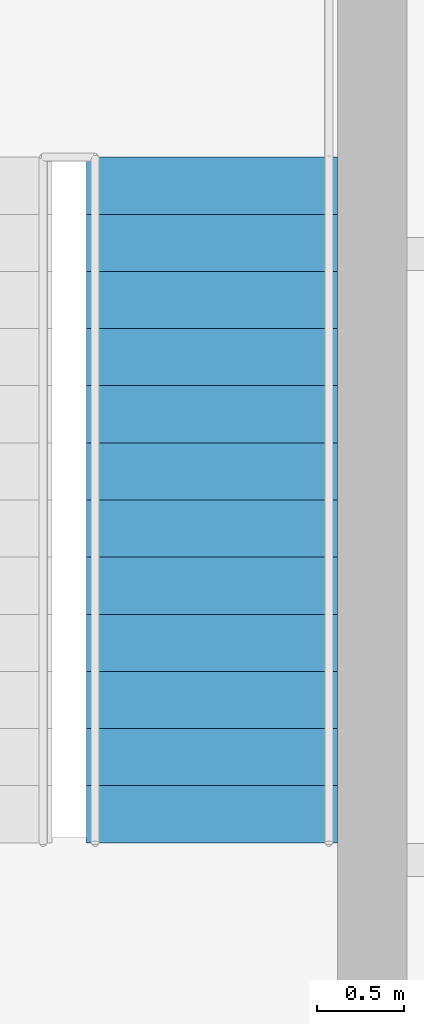
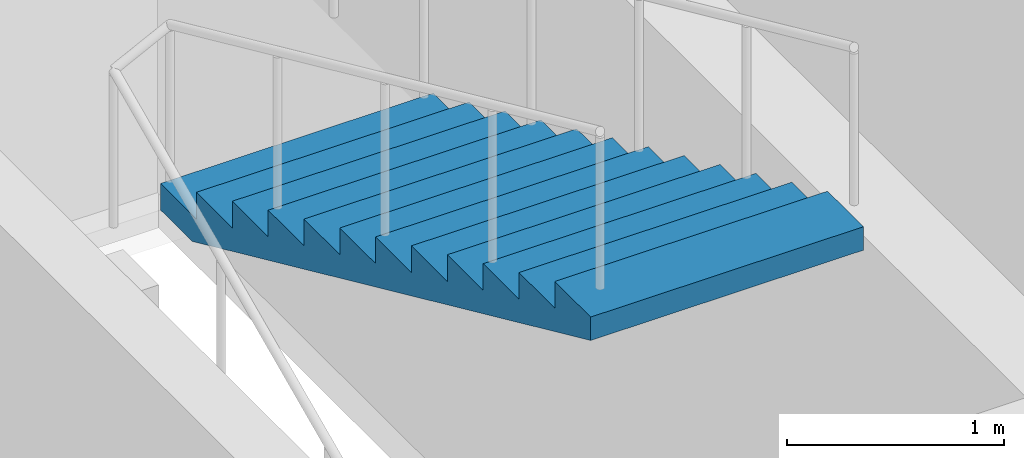
# One storey, part 9 of 10: 1 stair flight, 1 element without a shape of its own.
"""IFC4 building model written with IfcOpenShell, lengths in metres."""

from ifc_helpers import new_model, si_unit, direction, frame, origin, place, context, subcontext, project, spatial, polygons, material, type_object, element, aggregate, save


model = new_model("IFC4")

# Units and contexts
model_context = context("Model", 3, precision=1e-05, world=origin(), true_north=direction((0.0, 1.0)))
body_context = subcontext(model_context, "Body", "Model", "MODEL_VIEW")
ifc_project = project(units=[si_unit("LENGTHUNIT", "METRE"), si_unit("AREAUNIT", "SQUARE_METRE"), si_unit("VOLUMEUNIT", "CUBIC_METRE"), si_unit("PLANEANGLEUNIT", "RADIAN"), si_unit("MASSUNIT", "GRAM", prefix="KILO")], contexts=[model_context])

# Site, building, storey
site_placement = place(None, origin())
site = spatial("IfcSite", under=ifc_project, at=site_placement, CompositionType="ELEMENT")
building_placement = place(site_placement, origin())
building = spatial("IfcBuilding", under=site, at=building_placement, Name="Njiva Tower", CompositionType="ELEMENT")
storey_placement = place(building_placement, frame((0.0, 0.0, 268.8)))
storey = spatial("IfcBuildingStorey", under=building, at=storey_placement, Name="L61", CompositionType="ELEMENT", Elevation=268.8)

# Stair, stair flight
ifc_material = material(Name="Concrete C40/50", Category="concrete")
stair_type = type_object("IfcStairType", Name="ST3 Exit stair 1450", PredefinedType="HALF_TURN_STAIR", material=ifc_material)
stair_placement = place(storey_placement, origin())
stair = element("IfcStair", 1, at=stair_placement, inside=storey, type_object=stair_type, Name="Stair B", PredefinedType="HALF_TURN_STAIR")
stair_flight_type = type_object("IfcStairFlightType", Name="FL3 Stair flight 1450", PredefinedType="STRAIGHT", material=ifc_material)
stair_flight_placement = place(storey_placement, frame((13.375, 15.06, 1.95), z_axis=(0.0, 0.0, 1.0), x_axis=(0.0, -1.0, 0.0)))
stair_flight = element("IfcStairFlight", 2, at=stair_flight_placement, type_object=stair_flight_type, Name="ST-B flight 2", NumberOfRisers=13, NumberOfTreads=12, PredefinedType="STRAIGHT", RiserHeight=0.15, TreadLength=0.33, context=body_context, shape_type="Tessellation", body=[
    polygons([(0.0, 0.725, 0.0), (0.0, 0.3625, 0.0), (0.0, 0.0, 0.0), (0.0, -0.3625, 0.0), (0.0, -0.725, 0.0), (0.0, 0.725, 0.15), (0.0, 0.3625, 0.15), (0.0, 0.0, 0.15), (0.0, -0.3625, 0.15), (0.0, -0.725, 0.15), (0.33, 0.725, 0.15), (0.33, 0.3625, 0.15), (0.33, 0.0, 0.15), (0.33, -0.3625, 0.15), (0.33, -0.725, 0.15), (0.33, 0.725, 0.3), (0.33, 0.3625, 0.3), (0.33, 0.0, 0.3), (0.33, -0.3625, 0.3), (0.33, -0.725, 0.3), (0.66, 0.725, 0.3), (0.66, 0.3625, 0.3), (0.66, 0.0, 0.3), (0.66, -0.3625, 0.3), (0.66, -0.725, 0.3), (0.66, 0.725, 0.45), (0.66, 0.3625, 0.45), (0.66, 0.0, 0.45), (0.66, -0.3625, 0.45), (0.66, -0.725, 0.45), (0.99, 0.725, 0.45), (0.99, 0.3625, 0.45), (0.99, 0.0, 0.45), (0.99, -0.3625, 0.45), (0.99, -0.725, 0.45), (0.99, 0.725, 0.6), (0.99, 0.3625, 0.6), (0.99, 0.0, 0.6), (0.99, -0.3625, 0.6), (0.99, -0.725, 0.6), (1.32, 0.725, 0.6), (1.32, 0.3625, 0.6), (1.32, 0.0, 0.6), (1.32, -0.3625, 0.6), (1.32, -0.725, 0.6), (1.32, 0.725, 0.75), (1.32, 0.3625, 0.75), (1.32, 0.0, 0.75), (1.32, -0.3625, 0.75), (1.32, -0.725, 0.75), (1.65, 0.725, 0.75), (1.65, 0.3625, 0.75), (1.65, 0.0, 0.75), (1.65, -0.3625, 0.75), (1.65, -0.725, 0.75), (1.65, 0.725, 0.9), (1.65, 0.3625, 0.9), (1.65, 0.0, 0.9), (1.65, -0.3625, 0.9), (1.65, -0.725, 0.9), (1.98, 0.725, 0.9), (1.98, 0.3625, 0.9), (1.98, 0.0, 0.9), (1.98, -0.3625, 0.9), (1.98, -0.725, 0.9), (1.98, 0.725, 1.05), (1.98, 0.3625, 1.05), (1.98, 0.0, 1.05), (1.98, -0.3625, 1.05), (1.98, -0.725, 1.05), (2.31, 0.725, 1.05), (2.31, 0.3625, 1.05), (2.31, 0.0, 1.05), (2.31, -0.3625, 1.05), (2.31, -0.725, 1.05), (2.31, 0.725, 1.2), (2.31, 0.3625, 1.2), (2.31, 0.0, 1.2), (2.31, -0.3625, 1.2), (2.31, -0.725, 1.2), (2.64, 0.725, 1.2), (2.64, 0.3625, 1.2), (2.64, 0.0, 1.2), (2.64, -0.3625, 1.2), (2.64, -0.725, 1.2), (2.64, 0.725, 1.35), (2.64, 0.3625, 1.35), (2.64, 0.0, 1.35), (2.64, -0.3625, 1.35), (2.64, -0.725, 1.35), (2.97, 0.725, 1.35), (2.97, 0.3625, 1.35), (2.97, 0.0, 1.35), (2.97, -0.3625, 1.35), (2.97, -0.725, 1.35), (2.97, 0.725, 1.5), (2.97, 0.3625, 1.5), (2.97, 0.0, 1.5), (2.97, -0.3625, 1.5), (2.97, -0.725, 1.5), (3.3, 0.725, 1.5), (3.3, 0.3625, 1.5), (3.3, 0.0, 1.5), (3.3, -0.3625, 1.5), (3.3, -0.725, 1.5), (3.3, 0.725, 1.65), (3.3, 0.3625, 1.65), (3.3, 0.0, 1.65), (3.3, -0.3625, 1.65), (3.3, -0.725, 1.65), (3.63, 0.725, 1.65), (3.63, 0.3625, 1.65), (3.63, 0.0, 1.65), (3.63, -0.3625, 1.65), (3.63, -0.725, 1.65), (3.63, 0.725, 1.8), (3.63, 0.3625, 1.8), (3.63, 0.0, 1.8), (3.63, -0.3625, 1.8), (3.63, -0.725, 1.8), (3.96, 0.725, 1.8), (3.96, 0.3625, 1.8), (3.96, 0.0, 1.8), (3.96, -0.3625, 1.8), (3.96, -0.725, 1.8), (3.96, 0.725, 1.6682), (3.96, 0.3625, 1.6682), (3.96, 0.0, 1.6682), (3.96, -0.3625, 1.6682), (3.96, -0.725, 1.6682), (0.29, 0.725, 0.0), (0.29, 0.3625, 0.0), (0.29, 0.0, 0.0), (0.29, -0.3625, 0.0), (0.29, -0.725, 0.0)], [[[1, 6, 11, 16, 21, 26, 31, 36, 41, 46, 51, 56, 61, 66, 71, 76, 81, 86, 91, 96, 101, 106, 111, 116, 121, 126, 131]], [[135, 130, 125, 120, 115, 110, 105, 100, 95, 90, 85, 80, 75, 70, 65, 60, 55, 50, 45, 40, 35, 30, 25, 20, 15, 10, 5]], [[6, 1, 2, 7]], [[7, 2, 3, 8]], [[8, 3, 4, 9]], [[9, 4, 5, 10]], [[11, 6, 7, 12]], [[12, 7, 8, 13]], [[13, 8, 9, 14]], [[14, 9, 10, 15]], [[16, 11, 12, 17]], [[17, 12, 13, 18]], [[18, 13, 14, 19]], [[19, 14, 15, 20]], [[21, 16, 17, 22]], [[22, 17, 18, 23]], [[23, 18, 19, 24]], [[24, 19, 20, 25]], [[26, 21, 22, 27]], [[27, 22, 23, 28]], [[28, 23, 24, 29]], [[29, 24, 25, 30]], [[31, 26, 27, 32]], [[32, 27, 28, 33]], [[33, 28, 29, 34]], [[34, 29, 30, 35]], [[36, 31, 32, 37]], [[37, 32, 33, 38]], [[38, 33, 34, 39]], [[39, 34, 35, 40]], [[41, 36, 37, 42]], [[42, 37, 38, 43]], [[43, 38, 39, 44]], [[44, 39, 40, 45]], [[46, 41, 42, 47]], [[47, 42, 43, 48]], [[48, 43, 44, 49]], [[49, 44, 45, 50]], [[51, 46, 47, 52]], [[52, 47, 48, 53]], [[53, 48, 49, 54]], [[54, 49, 50, 55]], [[56, 51, 52, 57]], [[57, 52, 53, 58]], [[58, 53, 54, 59]], [[59, 54, 55, 60]], [[61, 56, 57, 62]], [[62, 57, 58, 63]], [[63, 58, 59, 64]], [[64, 59, 60, 65]], [[66, 61, 62, 67]], [[67, 62, 63, 68]], [[68, 63, 64, 69]], [[69, 64, 65, 70]], [[71, 66, 67, 72]], [[72, 67, 68, 73]], [[73, 68, 69, 74]], [[74, 69, 70, 75]], [[76, 71, 72, 77]], [[77, 72, 73, 78]], [[78, 73, 74, 79]], [[79, 74, 75, 80]], [[81, 76, 77, 82]], [[82, 77, 78, 83]], [[83, 78, 79, 84]], [[84, 79, 80, 85]], [[86, 81, 82, 87]], [[87, 82, 83, 88]], [[88, 83, 84, 89]], [[89, 84, 85, 90]], [[91, 86, 87, 92]], [[92, 87, 88, 93]], [[93, 88, 89, 94]], [[94, 89, 90, 95]], [[96, 91, 92, 97]], [[97, 92, 93, 98]], [[98, 93, 94, 99]], [[99, 94, 95, 100]], [[101, 96, 97, 102]], [[102, 97, 98, 103]], [[103, 98, 99, 104]], [[104, 99, 100, 105]], [[106, 101, 102, 107]], [[107, 102, 103, 108]], [[108, 103, 104, 109]], [[109, 104, 105, 110]], [[111, 106, 107, 112]], [[112, 107, 108, 113]], [[113, 108, 109, 114]], [[114, 109, 110, 115]], [[116, 111, 112, 117]], [[117, 112, 113, 118]], [[118, 113, 114, 119]], [[119, 114, 115, 120]], [[121, 116, 117, 122]], [[122, 117, 118, 123]], [[123, 118, 119, 124]], [[124, 119, 120, 125]], [[126, 121, 122, 127]], [[127, 122, 123, 128]], [[128, 123, 124, 129]], [[129, 124, 125, 130]], [[131, 126, 127, 132]], [[132, 127, 128, 133]], [[133, 128, 129, 134]], [[134, 129, 130, 135]], [[1, 131, 132, 2]], [[2, 132, 133, 3]], [[3, 133, 134, 4]], [[4, 134, 135, 5]]], closed=True),
])
aggregate(stair, [stair_flight])

save(model, "model.ifc")
